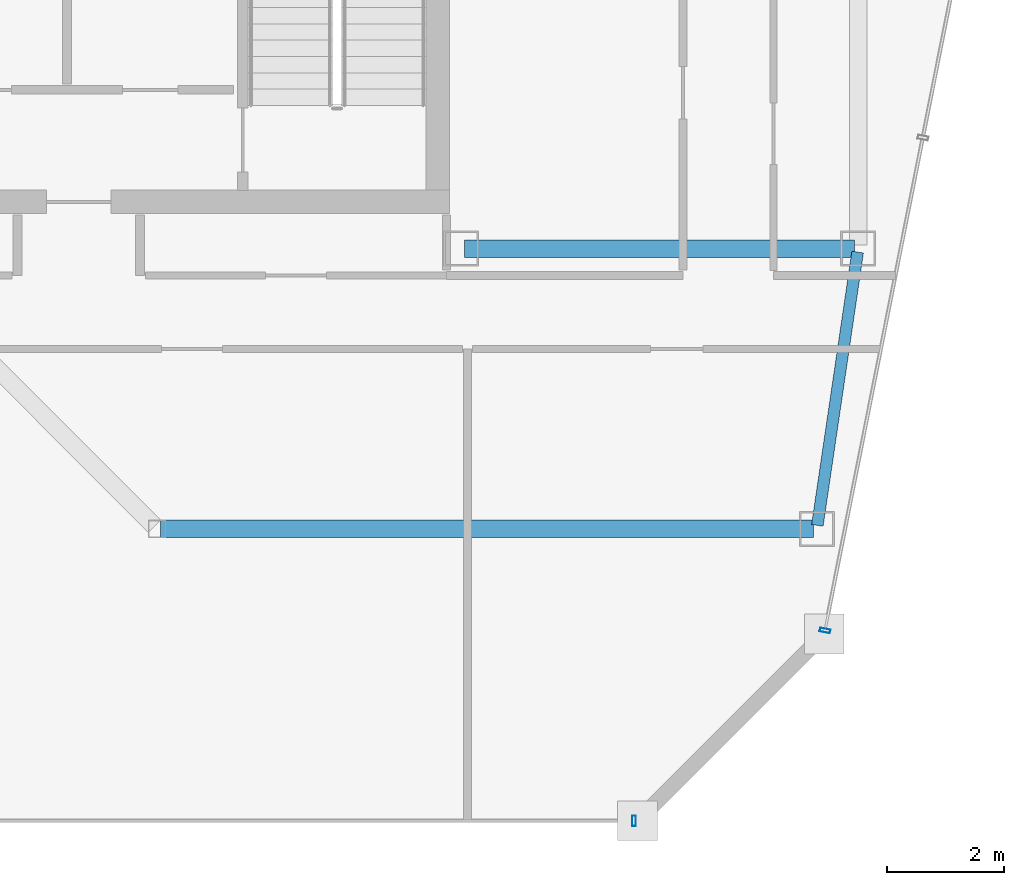
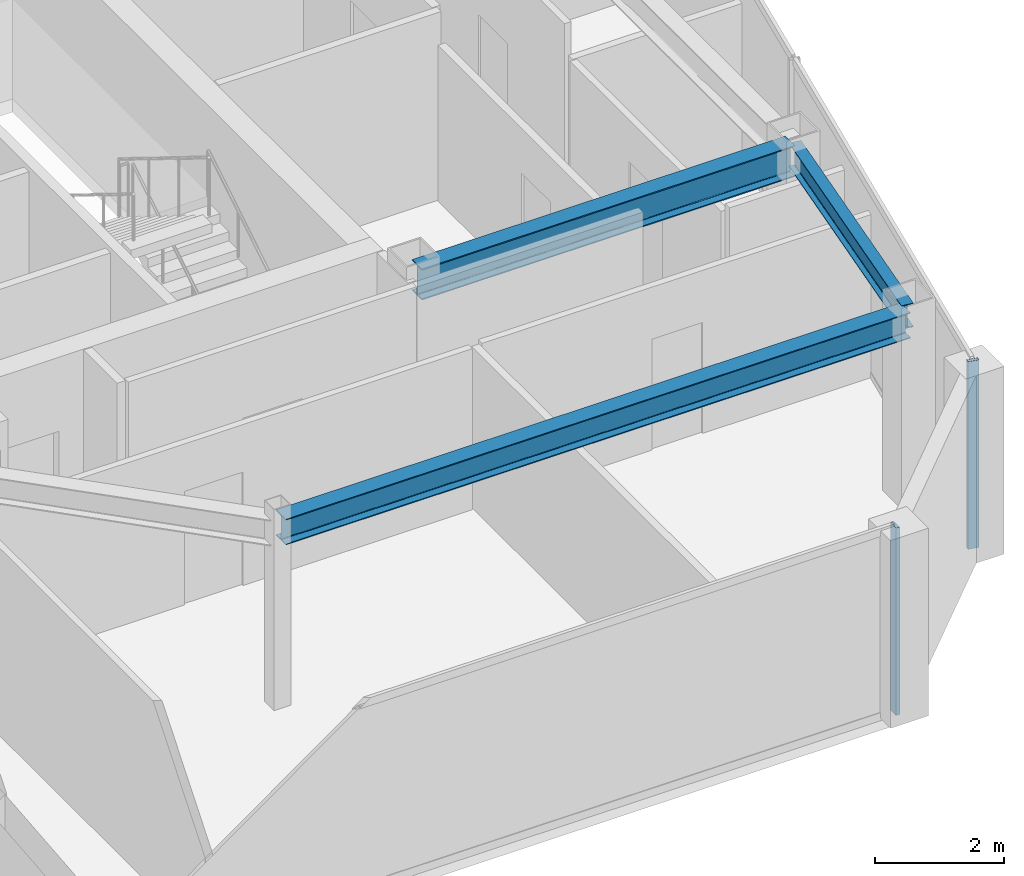
# One storey, part 13 of 24: 3 beams, 2 members, 2 elements without a shape of their own.
"""IFC4 building model written with IfcOpenShell, lengths in metres."""

from ifc_helpers import new_model, si_unit, direction, frame, origin, origin_2d, place, context, subcontext, project, spatial, hollow_rectangle, i_section, extrude, material, material_profile, profile_set, type_object, element, aggregate, save


model = new_model("IFC4")

# Units and contexts
model_context = context("Model", 3, precision=1e-05, world=origin(), true_north=direction((0.0, 1.0)))
body_context = subcontext(model_context, "Body", "Model", "MODEL_VIEW")
ifc_project = project(units=[si_unit("LENGTHUNIT", "METRE"), si_unit("AREAUNIT", "SQUARE_METRE"), si_unit("VOLUMEUNIT", "CUBIC_METRE"), si_unit("PLANEANGLEUNIT", "RADIAN"), si_unit("MASSUNIT", "GRAM", prefix="KILO")], contexts=[model_context])

# Site, building, storey
site_placement = place(None, origin())
site = spatial("IfcSite", under=ifc_project, at=site_placement, CompositionType="ELEMENT")
building_placement = place(site_placement, origin())
building = spatial("IfcBuilding", under=site, at=building_placement, Name="Saevonmaru Cultural Tower", CompositionType="ELEMENT")
storey_placement = place(building_placement, frame((0.0, 0.0, 299.0)))
storey = spatial("IfcBuildingStorey", under=building, at=storey_placement, Name="L71", CompositionType="ELEMENT", Elevation=299.0)

# Beams
ifc_material_1 = material(Name="Steel SM355", Category="steel")
ifc_material_profile_1 = material_profile(ifc_material_1, i_section(OverallWidth=0.300048828125, OverallDepth=0.488037109375, WebThickness=0.010986328125, FlangeThickness=0.01806640625, FilletRadius=0.02197265625, at=origin_2d()), Name="H-488x300x11x18")
ifc_profile_set_1 = profile_set([ifc_material_profile_1], Name="Steel SM355")
beam_type_1 = type_object("IfcBeamType", Name="BM-G-H488", PredefinedType="BEAM", material=ifc_profile_set_1)
beam_1_placement = place(storey_placement, frame((41.251953125, 37.60009765625, 3.305908203125), z_axis=(1.0, 0.0, 0.0), x_axis=(0.0, 1.0, 0.0)))
element("IfcBeam", 1, at=beam_1_placement, inside=storey, type_object=beam_type_1, Name="L71 East Wing Transverse Girder 1", PredefinedType="BEAM", context=body_context, shape_type="SweptSolid", body=[
    extrude(i_section(OverallWidth=0.300048828125, OverallDepth=0.488037109375, WebThickness=0.010986328125, FlangeThickness=0.01806640625, FilletRadius=0.02197265625, at=origin_2d()), origin(), (0.0, 0.0, 1.0), 11.179931640625),
])
ifc_material_profile_2 = material_profile(ifc_material_1, i_section(OverallWidth=0.300048828125, OverallDepth=0.587890625, WebThickness=0.011962890625, FlangeThickness=0.02001953125, FilletRadius=0.02392578125, at=origin_2d()), Name="H-588x300x12x20")
ifc_profile_set_2 = profile_set([ifc_material_profile_2], Name="Steel SM355")
beam_type_2 = type_object("IfcBeamType", Name="BM-G-H588", PredefinedType="BEAM", material=ifc_profile_set_2)
beam_2_placement = place(storey_placement, frame((46.4599609375, 42.39990234375, 3.256103515625), z_axis=(1.0, 0.0, 0.0), x_axis=(0.0, 1.0, 0.0)))
element("IfcBeam", 2, at=beam_2_placement, inside=storey, type_object=beam_type_2, Name="L71 Core South Girder 5", PredefinedType="BEAM", context=body_context, shape_type="SweptSolid", body=[
    extrude(i_section(OverallWidth=0.300048828125, OverallDepth=0.587890625, WebThickness=0.011962890625, FlangeThickness=0.02001953125, FilletRadius=0.02392578125, at=origin_2d()), origin(), (0.0, 0.0, 1.0), 6.679931640625),
])
ifc_material_profile_3 = material_profile(ifc_material_1, i_section(OverallWidth=0.199951171875, OverallDepth=0.449951171875, WebThickness=0.009033203125, FlangeThickness=0.013916015625, FilletRadius=0.01806640625, at=origin_2d()), Name="H-450x200x9x14")
ifc_profile_set_3 = profile_set([ifc_material_profile_3], Name="Steel SM355")
beam_type_3 = type_object("IfcBeamType", Name="BM-SP-H450", PredefinedType="SPANDREL", material=ifc_profile_set_3)
beam_3_placement = place(storey_placement, frame((52.500732421875, 37.659423828125, 3.324951171875), z_axis=(0.145912860028, 0.989297446312, 0.0), x_axis=(-0.989297446312, 0.145912860028, 0.0)))
element("IfcBeam", 3, at=beam_3_placement, inside=storey, type_object=beam_type_3, Name="L71 East Splayed Spandrel 1", PredefinedType="SPANDREL", context=body_context, shape_type="SweptSolid", body=[
    extrude(i_section(OverallWidth=0.199951171875, OverallDepth=0.449951171875, WebThickness=0.009033203125, FlangeThickness=0.013916015625, FilletRadius=0.01806640625, at=origin_2d()), origin(), (0.0, 0.0, 1.0), 4.731689453125),
])

# Curtain wall, member
ifc_material_2 = material(Name="Satin Bronze Anodised Aluminium", Category="aluminium")
curtain_wall_type = type_object("IfcCurtainWallType", Name="CW-TYP-B", PredefinedType="NOTDEFINED", material=ifc_material_2)
curtain_wall_1_placement = place(storey_placement, origin())
curtain_wall_1 = element("IfcCurtainWall", 4, at=curtain_wall_1_placement, inside=storey, type_object=curtain_wall_type, Name="L71 Unitised Curtain Wall E6", PredefinedType="NOTDEFINED")
ifc_material_profile_4 = material_profile(ifc_material_2, hollow_rectangle(XDim=0.06494140625, YDim=0.179931640625, WallThickness=0.00390625, at=origin_2d()), Name="ALU-MULL-180x65x4")
ifc_profile_set_4 = profile_set([ifc_material_profile_4], Name="Satin Bronze Anodised Aluminium")
member_type = type_object("IfcMemberType", Name="ML-CW-180x65", PredefinedType="MULLION", material=ifc_profile_set_4)
member_1_placement = place(storey_placement, frame((49.360107421875, 32.60009765625, 0.0), z_axis=(0.0, 0.0, 1.0), x_axis=(1.0, 0.0, 0.0)))
member_1 = element("IfcMember", 5, at=member_1_placement, type_object=member_type, Name="CW-TW-L71-E6 mullion 2", PredefinedType="MULLION", context=body_context, shape_type="SweptSolid", body=[
    extrude(hollow_rectangle(XDim=0.06494140625, YDim=0.179931640625, WallThickness=0.00390625, at=origin_2d()), origin(), (0.0, 0.0, 1.0), 3.550048828125),
])
aggregate(curtain_wall_1, [member_1])

curtain_wall_2_placement = place(storey_placement, origin())
curtain_wall_2 = element("IfcCurtainWall", 6, at=curtain_wall_2_placement, inside=storey, type_object=curtain_wall_type, Name="L71 Unitised Curtain Wall E8", PredefinedType="NOTDEFINED")
member_2_placement = place(storey_placement, frame((52.631591796875, 35.85888671875, 0.0), z_axis=(0.0, 0.0, 1.0), x_axis=(0.195005484813, 0.980802151758, 0.0)))
member_2 = element("IfcMember", 7, at=member_2_placement, type_object=member_type, Name="CW-TW-L71-E8 mullion 1", PredefinedType="MULLION", context=body_context, shape_type="SweptSolid", body=[
    extrude(hollow_rectangle(XDim=0.06494140625, YDim=0.179931640625, WallThickness=0.00390625, at=origin_2d()), origin(), (0.0, 0.0, 1.0), 3.550048828125),
])
aggregate(curtain_wall_2, [member_2])

save(model, "model.ifc")
